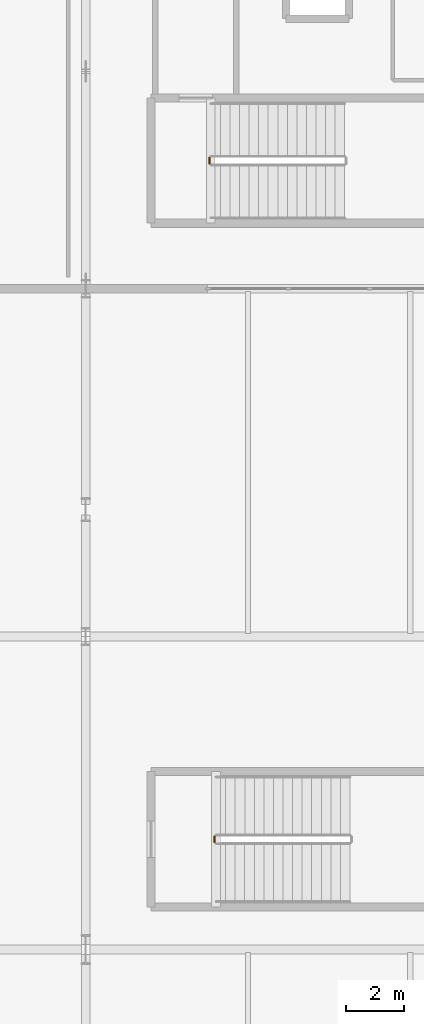
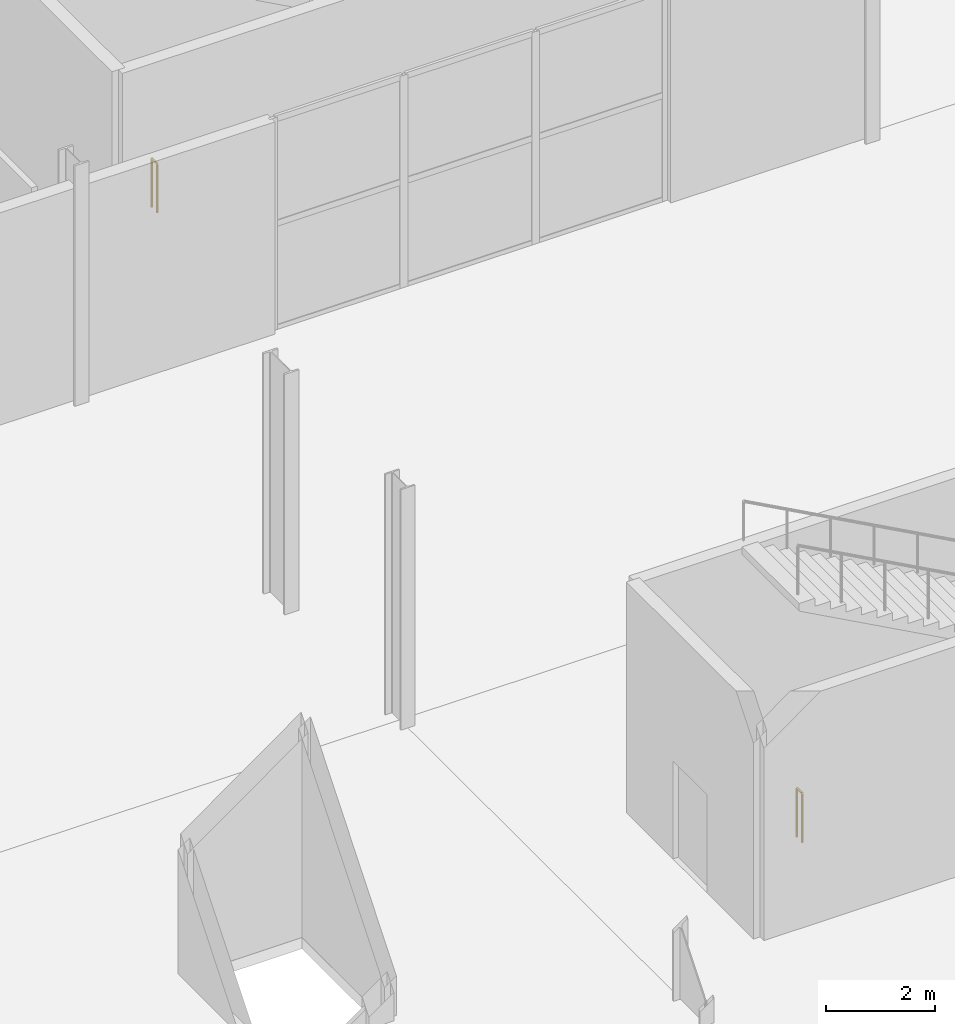
# One storey, part 75 of 87: 2 railings.
"""IFC4 building model written with IfcOpenShell, lengths in metres."""

from ifc_helpers import new_model, si_unit, direction, frame, origin, origin_2d, place, context, subcontext, project, spatial, circle, extrude, material, type_object, element, save


model = new_model("IFC4")

# Units and contexts
model_context = context("Model", 3, precision=1e-05, world=origin(), true_north=direction((0.0, 1.0)))
body_context = subcontext(model_context, "Body", "Model", "MODEL_VIEW")
ifc_project = project(units=[si_unit("LENGTHUNIT", "METRE"), si_unit("AREAUNIT", "SQUARE_METRE"), si_unit("VOLUMEUNIT", "CUBIC_METRE"), si_unit("PLANEANGLEUNIT", "RADIAN"), si_unit("MASSUNIT", "GRAM", prefix="KILO")], contexts=[model_context])

# Site, building, storey
site_placement = place(None, origin())
site = spatial("IfcSite", under=ifc_project, at=site_placement, CompositionType="ELEMENT")
building_placement = place(site_placement, origin())
building = spatial("IfcBuilding", under=site, at=building_placement, Name="Kimbaza Rail Terminus", CompositionType="ELEMENT")
storey_placement = place(building_placement, origin())
storey = spatial("IfcBuildingStorey", under=building, at=storey_placement, Name="L00", CompositionType="ELEMENT", Elevation=0.0)

# Railings
ifc_material = material(Name="Painted tubular steel stair well guard", Category="steel")
railing_type = type_object("IfcRailingType", Name="ARC-RL-STGRD", PredefinedType="GUARDRAIL", material=ifc_material)
railing_1_placement = place(storey_placement, frame((76.27001953125, 107.320068359375, 0.0)))
element("IfcRailing", 1, at=railing_1_placement, inside=storey, type_object=railing_type, Name="L00 ST-W1 stair guard 4", PredefinedType="GUARDRAIL", context=body_context, shape_type="SweptSolid", body=[
    extrude(circle(Radius=0.02392578125, at=origin_2d()), frame((0.0, 0.0, 1.09619140625), z_axis=(0.0, 1.0, 0.0), x_axis=(-1.0, 0.0, 0.0)), (0.0, 0.0, 1.0), 0.199951171875),
    extrude(circle(Radius=0.02099609375, at=origin_2d()), origin(), (0.0, 0.0, 1.0), 1.072021484375),
    extrude(circle(Radius=0.02099609375, at=origin_2d()), frame((0.0, 0.199951171875, 0.0)), (0.0, 0.0, 1.0), 1.072021484375),
])
railing_2_placement = place(storey_placement, frame((76.449951171875, 83.89990234375, 0.0)))
element("IfcRailing", 2, at=railing_2_placement, inside=storey, type_object=railing_type, Name="L00 ST-C1 stair guard 4", PredefinedType="GUARDRAIL", context=body_context, shape_type="SweptSolid", body=[
    extrude(circle(Radius=0.02392578125, at=origin_2d()), frame((0.0, 0.0, 1.09619140625), z_axis=(0.0, 1.0, 0.0), x_axis=(-1.0, 0.0, 0.0)), (0.0, 0.0, 1.0), 0.2001953125),
    extrude(circle(Radius=0.02099609375, at=origin_2d()), origin(), (0.0, 0.0, 1.0), 1.072021484375),
    extrude(circle(Radius=0.02099609375, at=origin_2d()), frame((0.0, 0.2001953125, 0.0)), (0.0, 0.0, 1.0), 1.072021484375),
])

save(model, "model.ifc")
